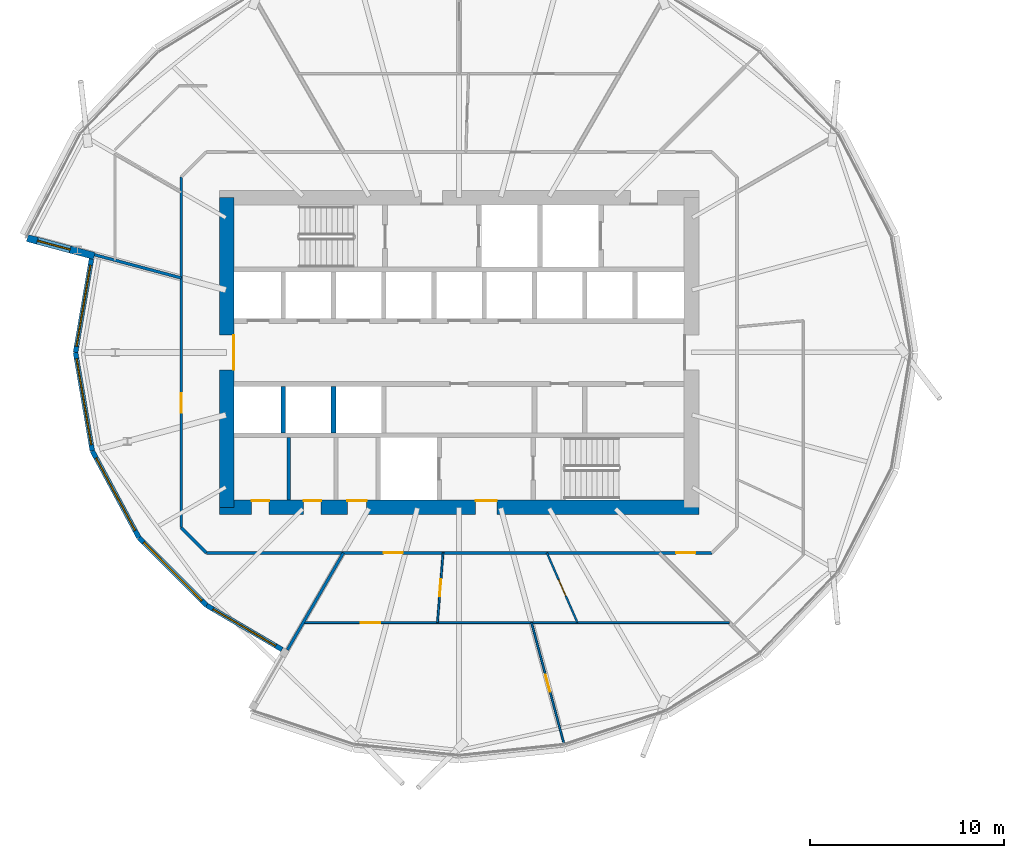
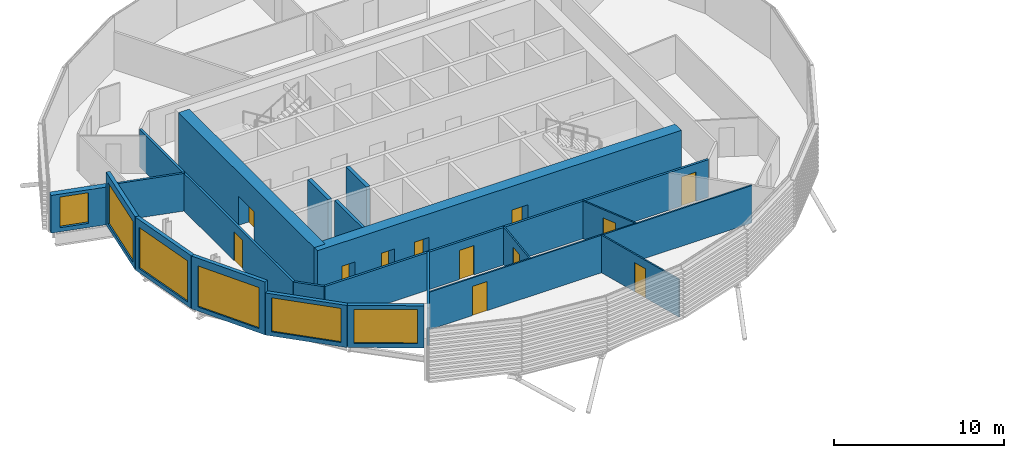
# One storey, part 21 of 39: 21 walls, 12 doors, 6 windows, 18 openings.
"""IFC4 building model written with IfcOpenShell, lengths in metres."""

from ifc_helpers import new_model, si_unit, direction, frame, frame_2d, origin, place, context, subcontext, project, spatial, rectangle, extrude, material, layer, layer_set, type_object, element, fill, save


model = new_model("IFC4")

# Units and contexts
model_context = context("Model", 3, precision=1e-05, world=origin(), true_north=direction((0.0, 1.0)))
body_context = subcontext(model_context, "Body", "Model", "MODEL_VIEW")
ifc_project = project(units=[si_unit("LENGTHUNIT", "METRE"), si_unit("AREAUNIT", "SQUARE_METRE"), si_unit("VOLUMEUNIT", "CUBIC_METRE"), si_unit("PLANEANGLEUNIT", "RADIAN"), si_unit("MASSUNIT", "GRAM", prefix="KILO")], contexts=[model_context])

# Site, building, storey
site_placement = place(None, origin())
site = spatial("IfcSite", under=ifc_project, at=site_placement, CompositionType="ELEMENT")
building_placement = place(site_placement, origin())
building = spatial("IfcBuilding", under=site, at=building_placement, Name="Rimbun Link Towers", CompositionType="ELEMENT")
storey_placement = place(building_placement, frame((0.0, 0.0, 112.0)))
storey = spatial("IfcBuildingStorey", under=building, at=storey_placement, Name="L27", CompositionType="ELEMENT", Elevation=112.0)

# Wall, opening, window
ifc_material_1 = material(Name="Dark enamelled glass spandrel on insulated aluminium backpan", Category="aluminium")
ifc_layer_1 = layer(ifc_material_1, 0.25)
ifc_layer_set_1 = layer_set([ifc_layer_1], Name="CS dark enamelled spandrel wall 250")
wall_type_1 = type_object("IfcWallType", Name="CS dark enamelled spandrel wall 250", PredefinedType="STANDARD", material=ifc_layer_set_1)
wall_1_placement = place(storey_placement, frame((-51.559326171875, 0.0, 0.0), z_axis=(0.0, 0.0, 1.0), x_axis=(0.16807555834, 0.985774115449, 0.0)))
wall_1 = element("IfcWall", 1, at=wall_1_placement, inside=storey, type_object=wall_type_1, Name="Crease spandrel wall", PredefinedType="STANDARD", context=body_context, shape_type="SweptSolid", body=[
    extrude(rectangle(XDim=4.89794921875, YDim=0.25, at=frame_2d((2.448974609375, 0.0))), origin(), (0.0, 0.0, 1.0), 3.800048828125),
])
opening_1_placement = place(wall_1_placement, frame((0.323974609375, 0.0, 0.300048828125)))
opening_1 = element("IfcOpeningElement", 2, at=opening_1_placement, cuts=wall_1, Name="Opening WR42H295", PredefinedType="OPENING", context=body_context, shape_type="SweptSolid", body=[
    extrude(rectangle(XDim=4.25, YDim=2.949951171875, at=frame_2d((2.125, 1.47509765625))), frame((0.0, 0.135009765625, 0.0), z_axis=(0.0, -1.0, 0.0), x_axis=(1.0, 0.0, 0.0)), (0.0, 0.0, 1.0), 0.27001953125),
])
ifc_material_2 = material(Name="Aluminium framed fixed window, dark tinted low-e glass", Category="aluminium")
window_type_1 = type_object("IfcWindowType", Name="WR ribbon window 4250X2950", PartitioningType="SINGLE_PANEL", PredefinedType="WINDOW", material=ifc_material_2)
window_1_placement = place(opening_1_placement, origin())
window_1 = element("IfcWindow", 3, at=window_1_placement, inside=storey, type_object=window_type_1, Name="Crease ribbon window", OverallHeight=2.949951171875, OverallWidth=4.25, PartitioningType="SINGLE_PANEL", PredefinedType="WINDOW", context=body_context, shape_type="SweptSolid", body=[
    extrude(rectangle(XDim=4.25, YDim=2.949951171875, at=frame_2d((2.125, 1.47509765625))), frame((0.0, 0.030029296875, 0.0), z_axis=(0.0, -1.0, 0.0), x_axis=(1.0, 0.0, 0.0)), (0.0, 0.0, 1.0), 0.06005859375),
])
fill(opening_1, window_1)

wall_2_placement = place(storey_placement, frame((-50.6923828125, -5.084716796875, 0.0), z_axis=(0.0, 0.0, 1.0), x_axis=(-0.168074355977, 0.985774320452, 0.0)))
wall_2 = element("IfcWall", 4, at=wall_2_placement, inside=storey, type_object=wall_type_1, Name="Crease spandrel wall", PredefinedType="STANDARD", context=body_context, shape_type="SweptSolid", body=[
    extrude(rectangle(XDim=5.158203125, YDim=0.25, at=frame_2d((2.5791015625, 0.0))), origin(), (0.0, 0.0, 1.0), 3.800048828125),
])
opening_2_placement = place(wall_2_placement, frame((0.3291015625, 0.0, 0.300048828125)))
opening_2 = element("IfcOpeningElement", 5, at=opening_2_placement, cuts=wall_2, Name="Opening WR45H295", PredefinedType="OPENING", context=body_context, shape_type="SweptSolid", body=[
    extrude(rectangle(XDim=4.5, YDim=2.949951171875, at=frame_2d((2.25, 1.47509765625))), frame((0.0, 0.135009765625, 0.0), z_axis=(0.0, -1.0, 0.0), x_axis=(1.0, 0.0, 0.0)), (0.0, 0.0, 1.0), 0.27001953125),
])
ifc_material_3 = material(Name="Aluminium framed fixed window, dark tinted low-e glass", Category="aluminium")
window_type_2 = type_object("IfcWindowType", Name="WR ribbon window 4500X2950", PartitioningType="SINGLE_PANEL", PredefinedType="WINDOW", material=ifc_material_3)
window_2_placement = place(opening_2_placement, origin())
window_2 = element("IfcWindow", 6, at=window_2_placement, inside=storey, type_object=window_type_2, Name="Crease ribbon window", OverallHeight=2.949951171875, OverallWidth=4.5, PartitioningType="SINGLE_PANEL", PredefinedType="WINDOW", context=body_context, shape_type="SweptSolid", body=[
    extrude(rectangle(XDim=4.5, YDim=2.949951171875, at=frame_2d((2.25, 1.47509765625))), frame((0.0, 0.030029296875, 0.0), z_axis=(0.0, -1.0, 0.0), x_axis=(1.0, 0.0, 0.0)), (0.0, 0.0, 1.0), 0.06005859375),
])
fill(opening_2, window_2)

wall_3_placement = place(storey_placement, frame((-48.284912109375, -9.563232421875, 0.0), z_axis=(0.0, 0.0, 1.0), x_axis=(-0.473484091358, 0.880802370132, 0.0)))
wall_3 = element("IfcWall", 7, at=wall_3_placement, inside=storey, type_object=wall_type_1, Name="Crease spandrel wall", PredefinedType="STANDARD", context=body_context, shape_type="SweptSolid", body=[
    extrude(rectangle(XDim=5.08447265625, YDim=0.25, at=frame_2d((2.542236328125, 0.0))), origin(), (0.0, 0.0, 1.0), 3.800048828125),
])
opening_3_placement = place(wall_3_placement, frame((0.41748046875, 0.0, 0.300048828125)))
opening_3 = element("IfcOpeningElement", 8, at=opening_3_placement, cuts=wall_3, Name="Opening WR42H295", PredefinedType="OPENING", context=body_context, shape_type="SweptSolid", body=[
    extrude(rectangle(XDim=4.25, YDim=2.949951171875, at=frame_2d((2.125, 1.47509765625))), frame((0.0, 0.135009765625, 0.0), z_axis=(0.0, -1.0, 0.0), x_axis=(1.0, 0.0, 0.0)), (0.0, 0.0, 1.0), 0.27001953125),
])
window_3_placement = place(opening_3_placement, origin())
window_3 = element("IfcWindow", 9, at=window_3_placement, inside=storey, type_object=window_type_1, Name="Crease ribbon window", OverallHeight=2.949951171875, OverallWidth=4.25, PartitioningType="SINGLE_PANEL", PredefinedType="WINDOW", context=body_context, shape_type="SweptSolid", body=[
    extrude(rectangle(XDim=4.25, YDim=2.949951171875, at=frame_2d((2.125, 1.47509765625))), frame((0.0, 0.030029296875, 0.0), z_axis=(0.0, -1.0, 0.0), x_axis=(1.0, 0.0, 0.0)), (0.0, 0.0, 1.0), 0.06005859375),
])
fill(opening_3, window_3)

wall_4_placement = place(storey_placement, frame((-44.7880859375, -13.060791015625, 0.0), z_axis=(0.0, 0.0, 1.0), x_axis=(-0.707032732131, 0.707180822489, 0.0)))
wall_4 = element("IfcWall", 10, at=wall_4_placement, inside=storey, type_object=wall_type_1, Name="Crease spandrel wall", PredefinedType="STANDARD", context=body_context, shape_type="SweptSolid", body=[
    extrude(rectangle(XDim=4.94580078125, YDim=0.25, at=frame_2d((2.472900390625, 0.0))), origin(), (0.0, 0.0, 1.0), 3.02734375),
])
opening_4_placement = place(wall_4_placement, frame((0.347900390625, 0.0, 0.300048828125)))
opening_4 = element("IfcOpeningElement", 11, at=opening_4_placement, cuts=wall_4, Name="Opening WR42H245", PredefinedType="OPENING", context=body_context, shape_type="SweptSolid", body=[
    extrude(rectangle(XDim=4.25, YDim=2.449951171875, at=frame_2d((2.125, 1.22509765625))), frame((0.0, 0.135009765625, 0.0), z_axis=(0.0, -1.0, 0.0), x_axis=(1.0, 0.0, 0.0)), (0.0, 0.0, 1.0), 0.27001953125),
])
ifc_material_4 = material(Name="Aluminium framed fixed window, dark tinted low-e glass", Category="aluminium")
window_type_3 = type_object("IfcWindowType", Name="WR ribbon window 4250X2450", PartitioningType="SINGLE_PANEL", PredefinedType="WINDOW", material=ifc_material_4)
window_4_placement = place(opening_4_placement, origin())
window_4 = element("IfcWindow", 12, at=window_4_placement, inside=storey, type_object=window_type_3, Name="Crease ribbon window", OverallHeight=2.449951171875, OverallWidth=4.25, PartitioningType="SINGLE_PANEL", PredefinedType="WINDOW", context=body_context, shape_type="SweptSolid", body=[
    extrude(rectangle(XDim=4.25, YDim=2.449951171875, at=frame_2d((2.125, 1.22509765625))), frame((0.0, 0.030029296875, 0.0), z_axis=(0.0, -1.0, 0.0), x_axis=(1.0, 0.0, 0.0)), (0.0, 0.0, 1.0), 0.06005859375),
])
fill(opening_4, window_4)

wall_5_placement = place(storey_placement, frame((-40.896240234375, -15.341552734375, 0.0), z_axis=(0.0, 0.0, 1.0), x_axis=(-0.862762287137, 0.505609766416, 0.0)))
wall_5 = element("IfcWall", 13, at=wall_5_placement, inside=storey, type_object=wall_type_1, Name="Crease spandrel wall", PredefinedType="STANDARD", context=body_context, shape_type="SweptSolid", body=[
    extrude(rectangle(XDim=4.510986328125, YDim=0.25, at=frame_2d((2.25537109375, 0.0))), origin(), (0.0, 0.0, 1.0), 3.02734375),
])
opening_5_placement = place(wall_5_placement, frame((0.380615234375, 0.0, 0.300048828125)))
opening_5 = element("IfcOpeningElement", 14, at=opening_5_placement, cuts=wall_5, Name="Opening WR38H245", PredefinedType="OPENING", context=body_context, shape_type="SweptSolid", body=[
    extrude(rectangle(XDim=3.75, YDim=2.449951171875, at=frame_2d((1.875, 1.22509765625))), frame((0.0, 0.135009765625, 0.0), z_axis=(0.0, -1.0, 0.0), x_axis=(1.0, 0.0, 0.0)), (0.0, 0.0, 1.0), 0.27001953125),
])
ifc_material_5 = material(Name="Aluminium framed fixed window, dark tinted low-e glass", Category="aluminium")
window_type_4 = type_object("IfcWindowType", Name="WR ribbon window 3750X2450", PartitioningType="SINGLE_PANEL", PredefinedType="WINDOW", material=ifc_material_5)
window_5_placement = place(opening_5_placement, origin())
window_5 = element("IfcWindow", 15, at=window_5_placement, inside=storey, type_object=window_type_4, Name="Crease ribbon window", OverallHeight=2.449951171875, OverallWidth=3.75, PartitioningType="SINGLE_PANEL", PredefinedType="WINDOW", context=body_context, shape_type="SweptSolid", body=[
    extrude(rectangle(XDim=3.75, YDim=2.449951171875, at=frame_2d((1.875, 1.22509765625))), frame((0.0, 0.030029296875, 0.0), z_axis=(0.0, -1.0, 0.0), x_axis=(1.0, 0.0, 0.0)), (0.0, 0.0, 1.0), 0.06005859375),
])
fill(opening_5, window_5)

ifc_material_6 = material(Name="Dark enamelled glass spandrel on insulated aluminium backpan", Category="aluminium")
ifc_layer_2 = layer(ifc_material_6, 0.3701171875)
ifc_layer_set_2 = layer_set([ifc_layer_2], Name="CS dark enamelled spandrel wall 370")
wall_type_2 = type_object("IfcWallType", Name="CS dark enamelled spandrel wall 370", PredefinedType="STANDARD", material=ifc_layer_set_2)
wall_6_placement = place(storey_placement, frame((-50.589599609375, 4.980712890625, 0.0), z_axis=(0.0, 0.0, 1.0), x_axis=(-0.965929787715, 0.258804260405, 0.0)))
wall_6 = element("IfcWall", 16, at=wall_6_placement, inside=storey, type_object=wall_type_2, Name="Crease spandrel wall", PredefinedType="STANDARD", context=body_context, shape_type="SweptSolid", body=[
    extrude(rectangle(XDim=3.580078125, YDim=0.3701171875, at=frame_2d((1.7900390625, 0.0))), origin(), (0.0, 0.0, 1.0), 2.711669921875),
])
opening_6_placement = place(wall_6_placement, frame((1.290771484375, 0.0, 0.300048828125)))
opening_6 = element("IfcOpeningElement", 17, at=opening_6_placement, cuts=wall_6, Name="Opening WR18H220", PredefinedType="OPENING", context=body_context, shape_type="SweptSolid", body=[
    extrude(rectangle(XDim=1.75, YDim=2.199951171875, at=frame_2d((0.875, 1.10009765625))), frame((0.0, 0.195068359375, 0.0), z_axis=(0.0, -1.0, 0.0), x_axis=(1.0, 0.0, 0.0)), (0.0, 0.0, 1.0), 0.39013671875),
])
ifc_material_7 = material(Name="Aluminium framed fixed window, dark tinted low-e glass", Category="aluminium")
window_type_5 = type_object("IfcWindowType", Name="WR ribbon window 1750X2200", PartitioningType="SINGLE_PANEL", PredefinedType="WINDOW", material=ifc_material_7)
window_6_placement = place(opening_6_placement, origin())
window_6 = element("IfcWindow", 18, at=window_6_placement, inside=storey, type_object=window_type_5, Name="Crease ribbon window", OverallHeight=2.199951171875, OverallWidth=1.75, PartitioningType="SINGLE_PANEL", PredefinedType="WINDOW", context=body_context, shape_type="SweptSolid", body=[
    extrude(rectangle(XDim=1.75, YDim=2.199951171875, at=frame_2d((0.875, 1.10009765625))), frame((0.0, 0.030029296875, 0.0), z_axis=(0.0, -1.0, 0.0), x_axis=(1.0, 0.0, 0.0)), (0.0, 0.0, 1.0), 0.06005859375),
])
fill(opening_6, window_6)

# Wall
ifc_material_8 = material(Name="Masonry blockwork", Category="masonry")
ifc_layer_3 = layer(ifc_material_8, 0.199951171875)
ifc_layer_set_3 = layer_set([ifc_layer_3], Name="Core partition 200")
wall_type_3 = type_object("IfcWallType", Name="Core partition 200", PredefinedType="PARTITIONING", material=ifc_layer_set_3)
wall_7_placement = place(storey_placement, frame((-40.550048828125, -4.39990234375, 0.0), z_axis=(0.0, 0.0, 1.0), x_axis=(0.0, -1.0, 0.0)))
element("IfcWall", 19, at=wall_7_placement, inside=storey, type_object=wall_type_3, Name="L27 T1 core wall C1", PredefinedType="PARTITIONING", context=body_context, shape_type="SweptSolid", body=[
    extrude(rectangle(XDim=3.22509765625, YDim=0.199951171875, at=frame_2d((1.612548828125, 0.0))), origin(), (0.0, 0.0, 1.0), 3.800048828125),
])

# Wall, openings, doors
ifc_material_9 = material(Name="Concrete C60/75", Category="concrete")
ifc_layer_4 = layer(ifc_material_9, 0.75)
ifc_layer_set_4 = layer_set([ifc_layer_4], Name="Core shear wall 750")
wall_type_4 = type_object("IfcWallType", Name="Core shear wall 750", PredefinedType="SHEAR", material=ifc_layer_set_4)
wall_8_placement = place(storey_placement, frame((-44.125, -8.0, 0.0), z_axis=(0.0, 0.0, 1.0), x_axis=(1.0, 0.0, 0.0)))
wall_8 = element("IfcWall", 20, at=wall_8_placement, inside=storey, type_object=wall_type_4, Name="L27 T1 core wall S", PredefinedType="SHEAR", context=body_context, shape_type="SweptSolid", body=[
    extrude(rectangle(XDim=24.75, YDim=0.75, at=frame_2d((12.375, 0.0))), origin(), (0.0, 0.0, 1.0), 3.800048828125),
])
opening_7_placement = place(wall_8_placement, frame((13.22509765625, 0.0, 0.0)))
opening_7 = element("IfcOpeningElement", 21, at=opening_7_placement, cuts=wall_8, Name="Opening C1DCF01S", PredefinedType="OPENING", context=body_context, shape_type="SweptSolid", body=[
    extrude(rectangle(XDim=1.10009765625, YDim=2.10009765625, at=frame_2d((0.550048828125, 1.050048828125))), frame((0.0, 0.385009765625, 0.0), z_axis=(0.0, -1.0, 0.0), x_axis=(1.0, 0.0, 0.0)), (0.0, 0.0, 1.0), 0.77001953125),
])
opening_8_placement = place(wall_8_placement, frame((1.66259765625, 0.0, 0.0)))
opening_8 = element("IfcOpeningElement", 22, at=opening_8_placement, cuts=wall_8, Name="Opening C1DWC02S", PredefinedType="OPENING", context=body_context, shape_type="SweptSolid", body=[
    extrude(rectangle(XDim=0.89990234375, YDim=2.10009765625, at=frame_2d((0.449951171875, 1.050048828125))), frame((0.0, 0.385009765625, 0.0), z_axis=(0.0, -1.0, 0.0), x_axis=(1.0, 0.0, 0.0)), (0.0, 0.0, 1.0), 0.77001953125),
])
opening_9_placement = place(wall_8_placement, frame((4.35009765625, 0.0, 0.0)))
opening_9 = element("IfcOpeningElement", 23, at=opening_9_placement, cuts=wall_8, Name="Opening C1DWC03S", PredefinedType="OPENING", context=body_context, shape_type="SweptSolid", body=[
    extrude(rectangle(XDim=0.89990234375, YDim=2.10009765625, at=frame_2d((0.449951171875, 1.050048828125))), frame((0.0, 0.385009765625, 0.0), z_axis=(0.0, -1.0, 0.0), x_axis=(1.0, 0.0, 0.0)), (0.0, 0.0, 1.0), 0.77001953125),
])
opening_10_placement = place(wall_8_placement, frame((6.60009765625, 0.0, 0.0)))
opening_10 = element("IfcOpeningElement", 24, at=opening_10_placement, cuts=wall_8, Name="Opening C1DAW04S", PredefinedType="OPENING", context=body_context, shape_type="SweptSolid", body=[
    extrude(rectangle(XDim=1.0, YDim=2.10009765625, at=frame_2d((0.5, 1.050048828125))), frame((0.0, 0.385009765625, 0.0), z_axis=(0.0, -1.0, 0.0), x_axis=(1.0, 0.0, 0.0)), (0.0, 0.0, 1.0), 0.77001953125),
])
ifc_material_10 = material(Name="Timber", Category="wood")
door_type_1 = type_object("IfcDoorType", Name="Accessible WC door", OperationType="SINGLE_SWING_LEFT", PredefinedType="DOOR", material=ifc_material_10)
door_1_placement = place(opening_10_placement, origin())
door_1 = element("IfcDoor", 25, at=door_1_placement, inside=storey, type_object=door_type_1, Name="L27 T1 accessible wc door", OperationType="SINGLE_SWING_RIGHT", OverallHeight=2.10009765625, OverallWidth=1.0, PredefinedType="DOOR", context=body_context, shape_type="SweptSolid", body=[
    extrude(rectangle(XDim=1.0, YDim=2.10009765625, at=frame_2d((0.5, 1.050048828125))), frame((0.0, 0.375, 0.0), z_axis=(0.0, -1.0, 0.0), x_axis=(1.0, 0.0, 0.0)), (0.0, 0.0, 1.0), 0.050048828125),
])
fill(opening_10, door_1)
ifc_material_11 = material(Name="Steel fire door set", Category="steel")
door_type_2 = type_object("IfcDoorType", Name="Core fire door single", OperationType="SINGLE_SWING_LEFT", PredefinedType="DOOR", material=ifc_material_11)
door_2_placement = place(opening_7_placement, origin())
door_2 = element("IfcDoor", 26, at=door_2_placement, inside=storey, type_object=door_type_2, Name="L27 T1 firefighting lobby s door", OperationType="SINGLE_SWING_RIGHT", OverallHeight=2.10009765625, OverallWidth=1.10009765625, PredefinedType="DOOR", context=body_context, shape_type="SweptSolid", body=[
    extrude(rectangle(XDim=1.10009765625, YDim=2.10009765625, at=frame_2d((0.550048828125, 1.050048828125))), frame((0.0, 0.375, 0.0), z_axis=(0.0, -1.0, 0.0), x_axis=(1.0, 0.0, 0.0)), (0.0, 0.0, 1.0), 0.050048828125),
])
fill(opening_7, door_2)
ifc_material_12 = material(Name="Timber", Category="wood")
door_type_3 = type_object("IfcDoorType", Name="WC door", OperationType="SINGLE_SWING_LEFT", PredefinedType="DOOR", material=ifc_material_12)
door_3_placement = place(opening_8_placement, origin())
door_3 = element("IfcDoor", 27, at=door_3_placement, inside=storey, type_object=door_type_3, Name="L27 T1 male wc door", OperationType="SINGLE_SWING_RIGHT", OverallHeight=2.10009765625, OverallWidth=0.89990234375, PredefinedType="DOOR", context=body_context, shape_type="SweptSolid", body=[
    extrude(rectangle(XDim=0.89990234375, YDim=2.10009765625, at=frame_2d((0.449951171875, 1.050048828125))), frame((0.0, 0.375, 0.0), z_axis=(0.0, -1.0, 0.0), x_axis=(1.0, 0.0, 0.0)), (0.0, 0.0, 1.0), 0.050048828125),
])
fill(opening_8, door_3)
door_4_placement = place(opening_9_placement, origin())
door_4 = element("IfcDoor", 28, at=door_4_placement, inside=storey, type_object=door_type_3, Name="L27 T1 female wc door", OperationType="SINGLE_SWING_RIGHT", OverallHeight=2.10009765625, OverallWidth=0.89990234375, PredefinedType="DOOR", context=body_context, shape_type="SweptSolid", body=[
    extrude(rectangle(XDim=0.89990234375, YDim=2.10009765625, at=frame_2d((0.449951171875, 1.050048828125))), frame((0.0, 0.375, 0.0), z_axis=(0.0, -1.0, 0.0), x_axis=(1.0, 0.0, 0.0)), (0.0, 0.0, 1.0), 0.050048828125),
])
fill(opening_9, door_4)

# Wall, opening, door
wall_9_placement = place(storey_placement, frame((-43.75, -8.0, 0.0), z_axis=(0.0, 0.0, 1.0), x_axis=(0.0, 1.0, 0.0)))
wall_9 = element("IfcWall", 29, at=wall_9_placement, inside=storey, type_object=wall_type_4, Name="L27 T1 core wall W", PredefinedType="SHEAR", context=body_context, shape_type="SweptSolid", body=[
    extrude(rectangle(XDim=16.0, YDim=0.75, at=frame_2d((8.0, 0.0))), origin(), (0.0, 0.0, 1.0), 3.800048828125),
])
opening_11_placement = place(wall_9_placement, frame((7.10009765625, 0.0, 0.0)))
opening_11 = element("IfcOpeningElement", 30, at=opening_11_placement, cuts=wall_9, Name="Opening C1DCL01W", PredefinedType="OPENING", context=body_context, shape_type="SweptSolid", body=[
    extrude(rectangle(XDim=1.800048828125, YDim=2.10009765625, at=frame_2d((0.89990234375, 1.050048828125))), frame((0.0, 0.385009765625, 0.0), z_axis=(0.0, -1.0, 0.0), x_axis=(1.0, 0.0, 0.0)), (0.0, 0.0, 1.0), 0.77001953125),
])
ifc_material_13 = material(Name="Steel fire door set", Category="steel")
door_type_4 = type_object("IfcDoorType", Name="Core lobby door double", OperationType="DOUBLE_DOOR_SINGLE_SWING", PredefinedType="DOOR", material=ifc_material_13)
door_5_placement = place(opening_11_placement, origin())
door_5 = element("IfcDoor", 31, at=door_5_placement, inside=storey, type_object=door_type_4, Name="L27 T1 lift lobby door", OperationType="DOUBLE_DOOR_SINGLE_SWING", OverallHeight=2.10009765625, OverallWidth=1.800048828125, PredefinedType="DOOR", context=body_context, shape_type="SweptSolid", body=[
    extrude(rectangle(XDim=1.800048828125, YDim=2.10009765625, at=frame_2d((0.89990234375, 1.050048828125))), frame((0.0, -0.3251953125, 0.0), z_axis=(0.0, -1.0, 0.0), x_axis=(1.0, 0.0, 0.0)), (0.0, 0.0, 1.0), 0.050048828125),
])
fill(opening_11, door_5)

# Wall, openings, doors
ifc_material_14 = material(Name="Plasterboard on steel stud, mineral wool", Category="steel")
ifc_layer_5 = layer(ifc_material_14, 0.14990234375)
ifc_layer_set_5 = layer_set([ifc_layer_5], Name="Corridor wall EI 30 150 mm")
wall_type_5 = type_object("IfcWallType", Name="Corridor wall EI 30 150 mm", PredefinedType="PARTITIONING", material=ifc_layer_set_5)
wall_10_placement = place(storey_placement, frame((-18.6982421875, -10.35009765625, 0.0), z_axis=(0.0, 0.0, 1.0), x_axis=(-1.0, 0.0, 0.0)))
wall_10 = element("IfcWall", 32, at=wall_10_placement, inside=storey, type_object=wall_type_5, Name="Corridor wall EI 30 150 mm", PredefinedType="PARTITIONING", context=body_context, shape_type="SweptSolid", body=[
    extrude(rectangle(XDim=26.103515625, YDim=0.14990234375, at=frame_2d((13.0517578125, 0.0))), origin(), (0.0, 0.0, 1.0), 2.701904296875),
])
opening_12_placement = place(wall_10_placement, frame((15.9541015625, 0.0, 0.0)))
opening_12 = element("IfcOpeningElement", 33, at=opening_12_placement, cuts=wall_10, Name="Opening D01", PredefinedType="OPENING", context=body_context, shape_type="SweptSolid", body=[
    extrude(rectangle(XDim=1.0, YDim=2.10009765625, at=frame_2d((0.5, 1.050048828125))), frame((0.0, 0.0849609375, 0.0), z_axis=(0.0, -1.0, 0.0), x_axis=(1.0, 0.0, 0.0)), (0.0, 0.0, 1.0), 0.169921875),
])
opening_13_placement = place(wall_10_placement, frame((0.850830078125, 0.0, 0.0)))
opening_13 = element("IfcOpeningElement", 34, at=opening_13_placement, cuts=wall_10, Name="Opening D01", PredefinedType="OPENING", context=body_context, shape_type="SweptSolid", body=[
    extrude(rectangle(XDim=1.0, YDim=2.10009765625, at=frame_2d((0.5, 1.050048828125))), frame((0.0, 0.0849609375, 0.0), z_axis=(0.0, -1.0, 0.0), x_axis=(1.0, 0.0, 0.0)), (0.0, 0.0, 1.0), 0.169921875),
])
ifc_material_15 = material(Name="Fire-resisting timber door leaf", Category="wood")
door_type_5 = type_object("IfcDoorType", Name="Fire door FD30S 1000", OperationType="NOTDEFINED", PredefinedType="DOOR", material=ifc_material_15)
door_6_placement = place(opening_12_placement, origin())
door_6 = element("IfcDoor", 35, at=door_6_placement, inside=storey, type_object=door_type_5, Name="Fire door FD30S 1000 to Reception", OperationType="SINGLE_SWING_LEFT", OverallHeight=2.10009765625, OverallWidth=1.0, PredefinedType="DOOR", context=body_context, shape_type="SweptSolid", body=[
    extrude(rectangle(XDim=1.0, YDim=2.10009765625, at=frame_2d((0.5, 1.050048828125))), frame((0.0, 0.02490234375, 0.0), z_axis=(0.0, -1.0, 0.0), x_axis=(1.0, 0.0, 0.0)), (0.0, 0.0, 1.0), 0.050048828125),
])
fill(opening_12, door_6)
door_7_placement = place(opening_13_placement, origin())
door_7 = element("IfcDoor", 36, at=door_7_placement, inside=storey, type_object=door_type_5, Name="Fire door FD30S 1000 to Reception", OperationType="SINGLE_SWING_LEFT", OverallHeight=2.10009765625, OverallWidth=1.0, PredefinedType="DOOR", context=body_context, shape_type="SweptSolid", body=[
    extrude(rectangle(XDim=1.0, YDim=2.10009765625, at=frame_2d((0.5, 1.050048828125))), frame((0.0, 0.02490234375, 0.0), z_axis=(0.0, -1.0, 0.0), x_axis=(1.0, 0.0, 0.0)), (0.0, 0.0, 1.0), 0.050048828125),
])
fill(opening_13, door_7)

# Wall
wall_11_placement = place(storey_placement, frame((-46.10009765625, -9.0517578125, 0.0), z_axis=(0.0, 0.0, 1.0), x_axis=(0.707106781187, -0.707106781187, 0.0)))
element("IfcWall", 37, at=wall_11_placement, inside=storey, type_object=wall_type_5, Name="Corridor wall EI 30 150 mm", PredefinedType="PARTITIONING", context=body_context, shape_type="SweptSolid", body=[
    extrude(rectangle(XDim=1.836181640625, YDim=0.14990234375, at=frame_2d((0.91796875, 0.0))), origin(), (0.0, 0.0, 1.0), 2.701904296875),
])

# Wall, opening, door
wall_12_placement = place(storey_placement, frame((-46.10009765625, -9.0517578125, 0.0), z_axis=(0.0, 0.0, 1.0), x_axis=(0.0, 1.0, 0.0)))
wall_12 = element("IfcWall", 38, at=wall_12_placement, inside=storey, type_object=wall_type_5, Name="Corridor wall EI 30 150 mm", PredefinedType="PARTITIONING", context=body_context, shape_type="SweptSolid", body=[
    extrude(rectangle(XDim=18.103515625, YDim=0.14990234375, at=frame_2d((9.0517578125, 0.0))), origin(), (0.0, 0.0, 1.0), 2.701904296875),
])
opening_14_placement = place(wall_12_placement, frame((5.948486328125, 0.0, 0.0)))
opening_14 = element("IfcOpeningElement", 39, at=opening_14_placement, cuts=wall_12, Name="Opening D01", PredefinedType="OPENING", context=body_context, shape_type="SweptSolid", body=[
    extrude(rectangle(XDim=1.0, YDim=2.10009765625, at=frame_2d((0.5, 1.050048828125))), frame((0.0, 0.0849609375, 0.0), z_axis=(0.0, -1.0, 0.0), x_axis=(1.0, 0.0, 0.0)), (0.0, 0.0, 1.0), 0.169921875),
])
door_8_placement = place(opening_14_placement, origin())
door_8 = element("IfcDoor", 40, at=door_8_placement, inside=storey, type_object=door_type_5, Name="Fire door FD30S 1000 to Terrace office", OperationType="SINGLE_SWING_LEFT", OverallHeight=2.10009765625, OverallWidth=1.0, PredefinedType="DOOR", context=body_context, shape_type="SweptSolid", body=[
    extrude(rectangle(XDim=1.0, YDim=2.10009765625, at=frame_2d((0.5, 1.050048828125))), frame((0.0, 0.02490234375, 0.0), z_axis=(0.0, -1.0, 0.0), x_axis=(1.0, 0.0, 0.0)), (0.0, 0.0, 1.0), 0.050048828125),
])
fill(opening_14, door_8)

ifc_material_16 = material(Name="Plasterboard on steel stud", Category="steel")
ifc_layer_6 = layer(ifc_material_16, 0.10009765625)
ifc_layer_set_6 = layer_set([ifc_layer_6], Name="Plasterboard partition 100 mm")
wall_type_6 = type_object("IfcWallType", Name="Plasterboard partition 100 mm", PredefinedType="PARTITIONING", material=ifc_layer_set_6)
wall_13_placement = place(storey_placement, frame((-32.579345703125, -10.35009765625, 0.0), z_axis=(0.0, 0.0, 1.0), x_axis=(-0.0798392644, -0.996807750702, 0.0)))
wall_13 = element("IfcWall", 41, at=wall_13_placement, inside=storey, type_object=wall_type_6, Name="Plasterboard partition 100 mm", PredefinedType="PARTITIONING", context=body_context, shape_type="SweptSolid", body=[
    extrude(rectangle(XDim=3.611328125, YDim=0.10009765625, at=frame_2d((1.8056640625, 0.0))), origin(), (0.0, 0.0, 1.0), 2.701904296875),
])
opening_15_placement = place(wall_13_placement, frame((1.355712890625, 0.0, 0.0)))
opening_15 = element("IfcOpeningElement", 42, at=opening_15_placement, cuts=wall_13, Name="Opening D04", PredefinedType="OPENING", context=body_context, shape_type="SweptSolid", body=[
    extrude(rectangle(XDim=0.89990234375, YDim=2.10009765625, at=frame_2d((0.449951171875, 1.050048828125))), frame((0.0, 0.06005859375, 0.0), z_axis=(0.0, -1.0, 0.0), x_axis=(1.0, 0.0, 0.0)), (0.0, 0.0, 1.0), 0.1201171875),
])
ifc_material_17 = material(Name="Timber door leaf", Category="wood")
door_type_6 = type_object("IfcDoorType", Name="Flush door 900", OperationType="NOTDEFINED", PredefinedType="DOOR", material=ifc_material_17)
door_9_placement = place(opening_15_placement, origin())
door_9 = element("IfcDoor", 43, at=door_9_placement, inside=storey, type_object=door_type_6, Name="Flush door 900 to Meeting room", OperationType="SINGLE_SWING_RIGHT", OverallHeight=2.10009765625, OverallWidth=0.89990234375, PredefinedType="DOOR", context=body_context, shape_type="SweptSolid", body=[
    extrude(rectangle(XDim=0.89990234375, YDim=2.10009765625, at=frame_2d((0.449951171875, 1.050048828125))), frame((0.0, 0.02490234375, 0.0), z_axis=(0.0, -1.0, 0.0), x_axis=(1.0, 0.0, 0.0)), (0.0, 0.0, 1.0), 0.050048828125),
])
fill(opening_15, door_9)

wall_14_placement = place(storey_placement, frame((-28.01220703125, -13.949951171875, 0.0), z_axis=(0.0, 0.0, 1.0), x_axis=(-1.0, 0.0, 0.0)))
wall_14 = element("IfcWall", 44, at=wall_14_placement, inside=storey, type_object=wall_type_6, Name="Plasterboard partition 100 mm", PredefinedType="PARTITIONING", context=body_context, shape_type="SweptSolid", body=[
    extrude(rectangle(XDim=11.791748046875, YDim=0.10009765625, at=frame_2d((5.89599609375, 0.0))), origin(), (0.0, 0.0, 1.0), 2.701904296875),
])
opening_16_placement = place(wall_14_placement, frame((7.80859375, 0.0, 0.0)))
opening_16 = element("IfcOpeningElement", 45, at=opening_16_placement, cuts=wall_14, Name="Opening D03", PredefinedType="OPENING", context=body_context, shape_type="SweptSolid", body=[
    extrude(rectangle(XDim=1.0, YDim=2.10009765625, at=frame_2d((0.5, 1.050048828125))), frame((0.0, 0.06005859375, 0.0), z_axis=(0.0, -1.0, 0.0), x_axis=(1.0, 0.0, 0.0)), (0.0, 0.0, 1.0), 0.1201171875),
])
ifc_material_18 = material(Name="Timber door leaf", Category="wood")
door_type_7 = type_object("IfcDoorType", Name="Flush door 1000", OperationType="NOTDEFINED", PredefinedType="DOOR", material=ifc_material_18)
door_10_placement = place(opening_16_placement, origin())
door_10 = element("IfcDoor", 46, at=door_10_placement, inside=storey, type_object=door_type_7, Name="Flush door 1000 to Co-working space", OperationType="SINGLE_SWING_LEFT", OverallHeight=2.10009765625, OverallWidth=1.0, PredefinedType="DOOR", context=body_context, shape_type="SweptSolid", body=[
    extrude(rectangle(XDim=1.0, YDim=2.10009765625, at=frame_2d((0.5, 1.050048828125))), frame((0.0, 0.02490234375, 0.0), z_axis=(0.0, -1.0, 0.0), x_axis=(1.0, 0.0, 0.0)), (0.0, 0.0, 1.0), 0.050048828125),
])
fill(opening_16, door_10)

wall_15_placement = place(storey_placement, frame((-27.216552734375, -10.35009765625, 0.0), z_axis=(0.0, 0.0, 1.0), x_axis=(0.401239177491, -0.915973319724, 0.0)))
wall_15 = element("IfcWall", 47, at=wall_15_placement, inside=storey, type_object=wall_type_6, Name="Plasterboard partition 100 mm", PredefinedType="PARTITIONING", context=body_context, shape_type="SweptSolid", body=[
    extrude(rectangle(XDim=3.93017578125, YDim=0.10009765625, at=frame_2d((1.965087890625, 0.0))), origin(), (0.0, 0.0, 1.0), 2.701904296875),
])
opening_17_placement = place(wall_15_placement, frame((1.51513671875, 0.0, 0.0)))
opening_17 = element("IfcOpeningElement", 48, at=opening_17_placement, cuts=wall_15, Name="Opening D04", PredefinedType="OPENING", context=body_context, shape_type="SweptSolid", body=[
    extrude(rectangle(XDim=0.89990234375, YDim=2.10009765625, at=frame_2d((0.449951171875, 1.050048828125))), frame((0.0, 0.06005859375, 0.0), z_axis=(0.0, -1.0, 0.0), x_axis=(1.0, 0.0, 0.0)), (0.0, 0.0, 1.0), 0.1201171875),
])
door_11_placement = place(opening_17_placement, origin())
door_11 = element("IfcDoor", 49, at=door_11_placement, inside=storey, type_object=door_type_6, Name="Flush door 900 to Pantry", OperationType="SINGLE_SWING_RIGHT", OverallHeight=2.10009765625, OverallWidth=0.89990234375, PredefinedType="DOOR", context=body_context, shape_type="SweptSolid", body=[
    extrude(rectangle(XDim=0.89990234375, YDim=2.10009765625, at=frame_2d((0.449951171875, 1.050048828125))), frame((0.0, 0.02490234375, 0.0), z_axis=(0.0, -1.0, 0.0), x_axis=(1.0, 0.0, 0.0)), (0.0, 0.0, 1.0), 0.050048828125),
])
fill(opening_17, door_11)

# Wall
wall_16_placement = place(storey_placement, frame((-28.01220703125, -13.949951171875, 0.0), z_axis=(0.0, 0.0, 1.0), x_axis=(1.0, 0.0, 0.0)))
element("IfcWall", 50, at=wall_16_placement, inside=storey, type_object=wall_type_6, Name="Plasterboard partition 100 mm", PredefinedType="PARTITIONING", context=body_context, shape_type="SweptSolid", body=[
    extrude(rectangle(XDim=10.212158203125, YDim=0.10009765625, at=frame_2d((5.10595703125, 0.0))), origin(), (0.0, 0.0, 1.0), 2.701904296875),
])

# Wall, opening, door
wall_17_placement = place(storey_placement, frame((-28.01220703125, -13.949951171875, 0.0), z_axis=(0.0, 0.0, 1.0), x_axis=(0.258826358617, -0.965923866609, 0.0)))
wall_17 = element("IfcWall", 51, at=wall_17_placement, inside=storey, type_object=wall_type_6, Name="Plasterboard partition 100 mm", PredefinedType="PARTITIONING", context=body_context, shape_type="SweptSolid", body=[
    extrude(rectangle(XDim=6.48876953125, YDim=0.10009765625, at=frame_2d((3.244384765625, 0.0))), origin(), (0.0, 0.0, 1.0), 2.701904296875),
])
opening_18_placement = place(wall_17_placement, frame((2.794189453125, 0.0, 0.0)))
opening_18 = element("IfcOpeningElement", 52, at=opening_18_placement, cuts=wall_17, Name="Opening D04", PredefinedType="OPENING", context=body_context, shape_type="SweptSolid", body=[
    extrude(rectangle(XDim=0.89990234375, YDim=2.10009765625, at=frame_2d((0.449951171875, 1.050048828125))), frame((0.0, 0.06005859375, 0.0), z_axis=(0.0, -1.0, 0.0), x_axis=(1.0, 0.0, 0.0)), (0.0, 0.0, 1.0), 0.1201171875),
])
door_12_placement = place(opening_18_placement, origin())
door_12 = element("IfcDoor", 53, at=door_12_placement, inside=storey, type_object=door_type_6, Name="Flush door 900 to Serviced office", OperationType="SINGLE_SWING_RIGHT", OverallHeight=2.10009765625, OverallWidth=0.89990234375, PredefinedType="DOOR", context=body_context, shape_type="SweptSolid", body=[
    extrude(rectangle(XDim=0.89990234375, YDim=2.10009765625, at=frame_2d((0.449951171875, 1.050048828125))), frame((0.0, 0.02490234375, 0.0), z_axis=(0.0, -1.0, 0.0), x_axis=(1.0, 0.0, 0.0)), (0.0, 0.0, 1.0), 0.050048828125),
])
fill(opening_18, door_12)

# Walls
ifc_material_19 = material(Name="Concrete C60/75", Category="concrete")
ifc_layer_7 = layer(ifc_material_19, 0.25)
ifc_layer_set_7 = layer_set([ifc_layer_7], Name="Shaft wall 250")
wall_type_7 = type_object("IfcWallType", Name="Shaft wall 250", PredefinedType="SHEAR", material=ifc_layer_set_7)
for number, where, z_axis, x_axis, name in (
    (54, (-40.83056640625, -4.14990234375, 0.0), (0.0, 0.0, 1.0), (0.0, 1.0, 0.0), "L27 T1 core wall DS0"),
    (55, (-38.236083984375, -4.14990234375, 0.0), (0.0, 0.0, 1.0), (0.0, 1.0, 0.0), "L27 T1 core wall DS1"),
):
    element("IfcWall", number, at=place(storey_placement, frame(where, z_axis=z_axis, x_axis=x_axis)), inside=storey, type_object=wall_type_7, Name=name, PredefinedType="SHEAR", context=body_context, shape_type="SweptSolid", body=[
        extrude(rectangle(XDim=2.39990234375, YDim=0.25, at=frame_2d((1.199951171875, 0.0))), origin(), (0.0, 0.0, 1.0), 3.800048828125),
    ])
ifc_material_20 = material(Name="Plasterboard on steel stud, mineral wool", Category="steel")
ifc_layer_8 = layer(ifc_material_20, 0.14990234375)
ifc_layer_set_8 = layer_set([ifc_layer_8], Name="Tenancy separation wall EI 60 150 mm")
wall_type_8 = type_object("IfcWallType", Name="Tenancy separation wall EI 60 150 mm", PredefinedType="PARTITIONING", material=ifc_layer_set_8)
wall_18_placement = place(storey_placement, frame((-46.10009765625, 3.84521484375, 0.0), z_axis=(0.0, 0.0, 1.0), x_axis=(-0.965936755558, 0.258778253072, 0.0)))
element("IfcWall", 56, at=wall_18_placement, inside=storey, type_object=wall_type_8, Name="Tenancy separation wall EI 60 150 mm", PredefinedType="PARTITIONING", context=body_context, shape_type="SweptSolid", body=[
    extrude(rectangle(XDim=4.63037109375, YDim=0.14990234375, at=frame_2d((2.315185546875, 0.0))), origin(), (0.0, 0.0, 1.0), 2.701904296875),
])
wall_19_placement = place(storey_placement, frame((-37.7255859375, -10.35009765625, 0.0), z_axis=(0.0, 0.0, 1.0), x_axis=(-0.499992798144, -0.866029561738, 0.0)))
element("IfcWall", 57, at=wall_19_placement, inside=storey, type_object=wall_type_8, Name="Tenancy separation wall EI 60 150 mm", PredefinedType="PARTITIONING", context=body_context, shape_type="SweptSolid", body=[
    extrude(rectangle(XDim=5.78466796875, YDim=0.14990234375, at=frame_2d((2.892333984375, 0.0))), origin(), (0.0, 0.0, 1.0), 2.701904296875),
])

save(model, "model.ifc")
